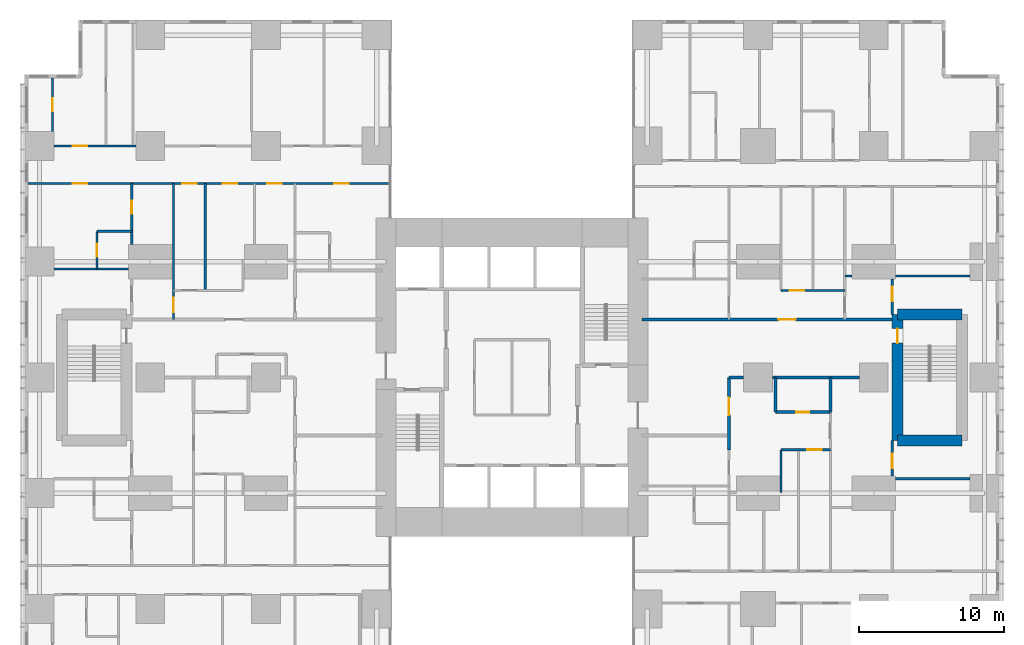
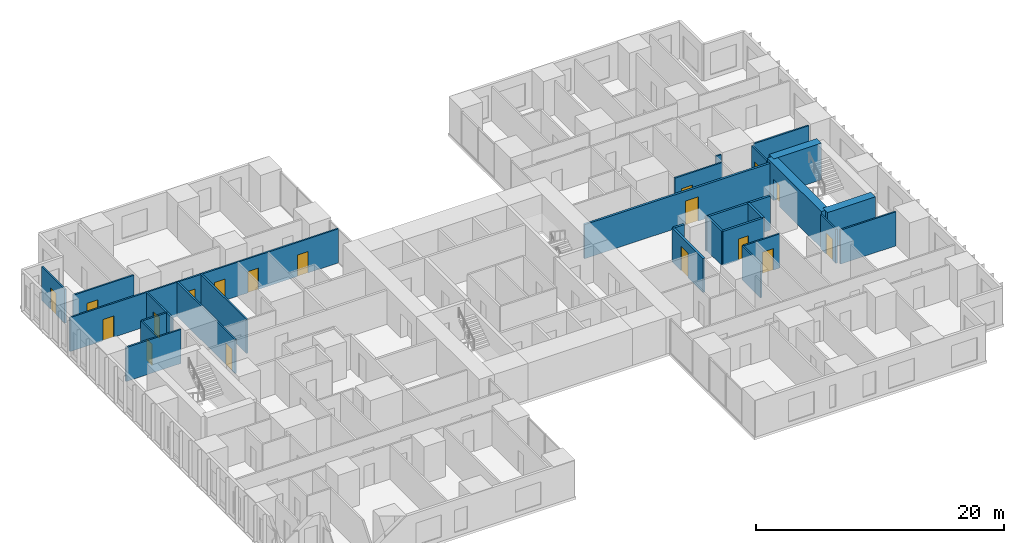
# One storey, part 16 of 20: 27 walls, 18 doors, 18 openings.
"""IFC4 building model written with IfcOpenShell, lengths in metres."""

import ifcopenshell
import ifcopenshell.guid

model = None  # the IFC model being written
_history = None  # IfcOwnerHistory: only IFC2X3 demands one
_inside = {}  # id of a spatial element -> (the spatial element, [elements in it])
_under = {}  # id of a project, library or spatial element -> (it, [spatial elements below it])
_declared = {}  # id of a project -> (the project, [libraries it declares])
_typed = {}  # id of a type object -> (the type object, [elements of that type])
_made_of = {}  # id of a material, layer set ... -> (it, [elements and type objects made of it])


def new_model(schema):
    """Start an empty IFC model of exactly this schema.

    Asked for "IFC4X3", IfcOpenShell would pick the latest addendum, in which some entities
    have other attributes; the version numbers below select the first issue.
    IFC2X3 requires an IfcOwnerHistory on every rooted entity: one is made here for all.
    """
    global model, _history
    if schema == "IFC4X3":
        model = ifcopenshell.file(schema_version=(4, 3, 0, 0))
    else:
        model = ifcopenshell.file(schema=schema)
    _inside.clear()
    _under.clear()
    _declared.clear()
    _typed.clear()
    _made_of.clear()
    _history = None
    if model.schema == "IFC2X3":
        org = make("IfcOrganization", Name="unknown")
        user = make(
            "IfcPersonAndOrganization",
            ThePerson=make("IfcPerson", FamilyName="unknown"),
            TheOrganization=org,
        )
        app = make(
            "IfcApplication",
            ApplicationDeveloper=org,
            Version="unknown",
            ApplicationFullName="unknown",
            ApplicationIdentifier="unknown",
        )
        _history = make(
            "IfcOwnerHistory",
            OwningUser=user,
            OwningApplication=app,
            ChangeAction="ADDED",
            CreationDate=0,
        )
    return model


def make(cls, **values):
    """One entity of the class cls with the attributes given. An attribute that is None is left unset."""
    return model.create_entity(
        cls, **{name: value for name, value in values.items() if value is not None}
    )


def rooted(cls, **values):
    """An entity with a GlobalId (a new one), such as an element, a storey or a relation."""
    return make(cls, GlobalId=ifcopenshell.guid.new(), OwnerHistory=_history, **values)


def si_unit(unit_type, name, prefix=None):
    """IfcSIUnit, for example si_unit("LENGTHUNIT", "METRE", prefix="MILLI")."""
    return make("IfcSIUnit", UnitType=unit_type, Prefix=prefix, Name=name)


def assignment(units):
    """IfcUnitAssignment: the units of a project."""
    return None if units is None else make("IfcUnitAssignment", Units=units)


def point(xyz):
    """IfcCartesianPoint."""
    return None if xyz is None else make("IfcCartesianPoint", Coordinates=xyz)


def direction(xyz):
    """IfcDirection."""
    return None if xyz is None else make("IfcDirection", DirectionRatios=xyz)


def frame(location, z_axis=None, x_axis=None):
    """IfcAxis2Placement3D, a coordinate frame: its origin and axes. An axis left out is left unset."""
    return make(
        "IfcAxis2Placement3D",
        Location=point(location),
        Axis=direction(z_axis),
        RefDirection=direction(x_axis),
    )


def frame_2d(location, x_axis=None):
    """IfcAxis2Placement2D, a coordinate frame in the plane: its origin and x axis."""
    return make(
        "IfcAxis2Placement2D", Location=point(location), RefDirection=direction(x_axis)
    )


def origin():
    """The frame at (0, 0, 0) with its axes left unset."""
    return frame((0.0, 0.0, 0.0))


def place(relative_to, where):
    """IfcLocalPlacement: puts the frame where relative to a parent placement (None: the world)."""
    return make(
        "IfcLocalPlacement", PlacementRelTo=relative_to, RelativePlacement=where
    )


def context(
    kind, dimensions, precision=None, world=None, true_north=None, identifier=None
):
    """IfcGeometricRepresentationContext, for example the 3D "Model" context."""
    return make(
        "IfcGeometricRepresentationContext",
        ContextIdentifier=identifier,
        ContextType=kind,
        CoordinateSpaceDimension=dimensions,
        Precision=precision,
        WorldCoordinateSystem=world,
        TrueNorth=true_north,
    )


def subcontext(parent, identifier, kind, view, scale=None):
    """IfcGeometricRepresentationSubContext, for example "Body" below "Model"."""
    return make(
        "IfcGeometricRepresentationSubContext",
        ContextIdentifier=identifier,
        ContextType=kind,
        ParentContext=parent,
        TargetScale=scale,
        TargetView=view,
    )


def project(units=None, contexts=None):
    """IfcProject with its units and contexts."""
    return rooted(
        "IfcProject",
        Name="project",
        RepresentationContexts=contexts,
        UnitsInContext=assignment(units),
    )


def spatial(cls, under=None, at=None, **own):
    """A site, building, storey or space (cls), placed at a placement, below another one or the project."""
    s = rooted(cls, ObjectPlacement=at, **own)
    if under is not None:
        _under.setdefault(under.id(), (under, []))[1].append(s)
    return s


def profile(cls, at=None, kind="AREA", **sizes):
    """A parametric profile (cls). Its sizes go by their IFC names, for example OverallWidth=200.0."""
    return make(cls, ProfileType=kind, Position=at, **sizes)


def rectangle(**sizes):
    """IfcRectangleProfileDef."""
    return profile("IfcRectangleProfileDef", **sizes)


def extrude(swept, where, along, depth):
    """IfcExtrudedAreaSolid: the profile swept, set in the frame where, extruded along a direction by depth."""
    return make(
        "IfcExtrudedAreaSolid",
        SweptArea=swept,
        Position=where,
        ExtrudedDirection=direction(along),
        Depth=depth,
    )


def shape(context_of_items, identifier, shape_type, items):
    """IfcShapeRepresentation: the items that make up one representation, for example the "Body"."""
    return make(
        "IfcShapeRepresentation",
        ContextOfItems=context_of_items,
        RepresentationIdentifier=identifier,
        RepresentationType=shape_type,
        Items=items,
    )


def material(Name=None, Category=None):
    """IfcMaterial."""
    return make("IfcMaterial", Name=Name, Category=Category)


def layer(
    of_material, thickness, ventilated=None, Name=None, Category=None, Priority=None
):
    """IfcMaterialLayer: one layer of a wall or slab, of a material (None: an air gap)."""
    return make(
        "IfcMaterialLayer",
        Material=of_material,
        LayerThickness=thickness,
        IsVentilated=ventilated,
        Name=Name,
        Category=Category,
        Priority=Priority,
    )


def layer_set(layers, Name=None):
    """IfcMaterialLayerSet."""
    return make("IfcMaterialLayerSet", MaterialLayers=layers, LayerSetName=Name)


def made_of(thing, what):
    """Note that an element or type object is made of a material, layer set ...; save() writes the relation."""
    if what is not None:
        _made_of.setdefault(what.id(), (what, []))[1].append(thing)
    return thing


def type_object(cls, material=None, **own):
    """A type object (cls), such as IfcWallType, which elements share."""
    return made_of(rooted(cls, **own), material)


def element(
    cls,
    number,
    at=None,
    inside=None,
    cuts=None,
    type_object=None,
    material=None,
    context=None,
    identifier="Body",
    shape_type=None,
    held_by="IfcProductDefinitionShape",
    body=None,
    shapes=None,
    **own,
):
    """One element of the class cls, such as IfcWall. Its Tag is "e" and its number.

    at: its placement. inside: the storey or other place that contains it. cuts: it is an
    opening in that element (IfcRelVoidsElement). A single representation is given by context,
    identifier, shape_type and body (its items); several are given by shapes. held_by: the class
    of the entity that holds the representations. save() writes the other relations.
    """
    e = rooted(cls, Tag="e%d" % number, ObjectPlacement=at, **own)
    if body is not None:
        shapes = [shape(context, identifier, shape_type, body)]
    if shapes is not None:
        e.Representation = make(held_by, Representations=shapes)
    if inside is not None:
        _inside.setdefault(inside.id(), (inside, []))[1].append(e)
    if cuts is not None:
        rooted(
            "IfcRelVoidsElement", RelatingBuildingElement=cuts, RelatedOpeningElement=e
        )
    if type_object is not None:
        _typed.setdefault(type_object.id(), (type_object, []))[1].append(e)
    return made_of(e, material)


def fill(opening, filler):
    """IfcRelFillsElement: the door or window that sits in an opening."""
    return rooted(
        "IfcRelFillsElement",
        RelatingOpeningElement=opening,
        RelatedBuildingElement=filler,
    )


def aggregate(whole, parts):
    """IfcRelAggregates: a whole, such as a stair, and the parts it consists of."""
    return rooted("IfcRelAggregates", RelatingObject=whole, RelatedObjects=parts)


def save(model, path):
    """Write the relations noted so far, then the file.

    IfcRelAggregates (storeys below a building ...), IfcRelContainedInSpatialStructure (elements
    in a storey), IfcRelDefinesByType, IfcRelAssociatesMaterial and IfcRelDeclares: one each for
    every whole, place, type object, material and project.
    """
    for whole, parts in _under.values():
        aggregate(whole, parts)
    for where, things in _inside.values():
        rooted(
            "IfcRelContainedInSpatialStructure",
            RelatedElements=things,
            RelatingStructure=where,
        )
    for kind, things in _typed.values():
        rooted("IfcRelDefinesByType", RelatedObjects=things, RelatingType=kind)
    for what, things in _made_of.values():
        rooted("IfcRelAssociatesMaterial", RelatedObjects=things, RelatingMaterial=what)
    for by, libraries in _declared.values():
        rooted("IfcRelDeclares", RelatingContext=by, RelatedDefinitions=libraries)
    model.write(path)


model = new_model("IFC4")

# Units and contexts
model_context = context("Model", 3, precision=1e-05, world=origin(), true_north=direction((0.0, 1.0)))
body_context = subcontext(model_context, "Body", "Model", "MODEL_VIEW")
ifc_project = project(units=[si_unit("LENGTHUNIT", "METRE"), si_unit("AREAUNIT", "SQUARE_METRE"), si_unit("VOLUMEUNIT", "CUBIC_METRE"), si_unit("PLANEANGLEUNIT", "RADIAN"), si_unit("MASSUNIT", "GRAM", prefix="KILO")], contexts=[model_context])

# Site, building, storey
site_placement = place(None, origin())
site = spatial("IfcSite", under=ifc_project, at=site_placement, CompositionType="ELEMENT")
building_placement = place(site_placement, origin())
building = spatial("IfcBuilding", under=site, at=building_placement, Name="Cleftline Residences", CompositionType="ELEMENT")
storey_placement = place(building_placement, frame((0.0, 0.0, 143.0)))
storey = spatial("IfcBuildingStorey", under=building, at=storey_placement, Name="L37", CompositionType="ELEMENT", Elevation=143.0)

# Wall, opening, door
ifc_material_1 = material(Name="Concrete blockwork, fire rated", Category="masonry")
ifc_layer_1 = layer(ifc_material_1, 0.199951171875)
ifc_layer_set_1 = layer_set([ifc_layer_1], Name="FIRE WALL 200")
wall_type_1 = type_object("IfcWallType", Name="FIRE WALL 200", PredefinedType="PARTITIONING", material=ifc_layer_set_1)
wall_1_placement = place(storey_placement, frame((51.199951171875, 21.60009765625, 0.0), z_axis=(0.0, 0.0, 1.0), x_axis=(1.0, 0.0, 0.0)))
wall_1 = element("IfcWall", 1, at=wall_1_placement, inside=storey, type_object=wall_type_1, Name="Fire separating wall", PredefinedType="PARTITIONING", context=body_context, shape_type="SweptSolid", body=[
    extrude(rectangle(XDim=3.800048828125, YDim=0.199951171875, at=frame_2d((1.89990234375, 0.0))), origin(), (0.0, 0.0, 1.0), 3.35009765625),
])
opening_1_placement = place(wall_1_placement, frame((1.449951171875, 0.0, 0.0)))
opening_1 = element("IfcOpeningElement", 2, at=opening_1_placement, cuts=wall_1, Name="Opening D1F30", PredefinedType="OPENING", context=body_context, shape_type="SweptSolid", body=[
    extrude(rectangle(XDim=0.89990234375, YDim=2.10009765625, at=frame_2d((0.449951171875, 1.050048828125))), frame((0.0, 0.10986328125, 0.0), z_axis=(0.0, -1.0, 0.0), x_axis=(1.0, 0.0, 0.0)), (0.0, 0.0, 1.0), 0.219970703125),
])
ifc_material_2 = material(Name="Timber veneer on solid core", Category="wood")
door_type_1 = type_object("IfcDoorType", Name="DOOR 900X2100 EI 30", OperationType="SINGLE_SWING_LEFT", PredefinedType="DOOR", material=ifc_material_2)
door_1_placement = place(opening_1_placement, origin())
door_1 = element("IfcDoor", 3, at=door_1_placement, inside=storey, type_object=door_type_1, Name="Door to cloakroom wc", OperationType="SINGLE_SWING_LEFT", OverallHeight=2.10009765625, OverallWidth=0.89990234375, PredefinedType="DOOR", context=body_context, shape_type="SweptSolid", body=[
    extrude(rectangle(XDim=0.89990234375, YDim=2.10009765625, at=frame_2d((0.449951171875, 1.050048828125))), frame((0.0, 0.02490234375, 0.0), z_axis=(0.0, -1.0, 0.0), x_axis=(1.0, 0.0, 0.0)), (0.0, 0.0, 1.0), 0.050048828125),
])
fill(opening_1, door_1)

# Walls
wall_2_placement = place(storey_placement, frame((48.0, 24.0, 0.0), z_axis=(0.0, 0.0, 1.0), x_axis=(1.0, 0.0, 0.0)))
element("IfcWall", 4, at=wall_2_placement, inside=storey, type_object=wall_type_1, Name="Fire separating wall", PredefinedType="PARTITIONING", context=body_context, shape_type="SweptSolid", body=[
    extrude(rectangle(XDim=1.0, YDim=0.199951171875, at=frame_2d((0.5, 0.0))), origin(), (0.0, 0.0, 1.0), 3.35009765625),
])
wall_3_placement = place(storey_placement, frame((51.0, 24.0, 0.0), z_axis=(0.0, 0.0, 1.0), x_axis=(1.0, 0.0, 0.0)))
element("IfcWall", 5, at=wall_3_placement, inside=storey, type_object=wall_type_1, Name="Fire separating wall", PredefinedType="PARTITIONING", context=body_context, shape_type="SweptSolid", body=[
    extrude(rectangle(XDim=6.0, YDim=0.199951171875, at=frame_2d((3.0, 0.0))), origin(), (0.0, 0.0, 1.0), 3.35009765625),
])

# Wall, opening, door
wall_4_placement = place(storey_placement, frame((42.0, 28.0, 0.0), z_axis=(0.0, 0.0, 1.0), x_axis=(1.0, 0.0, 0.0)))
wall_4 = element("IfcWall", 6, at=wall_4_placement, inside=storey, type_object=wall_type_1, Name="Fire separating wall", PredefinedType="PARTITIONING", context=body_context, shape_type="SweptSolid", body=[
    extrude(rectangle(XDim=17.27490234375, YDim=0.199951171875, at=frame_2d((8.637451171875, 0.0))), origin(), (0.0, 0.0, 1.0), 3.35009765625),
])
opening_2_placement = place(wall_4_placement, frame((9.39990234375, 0.0, 0.0)))
opening_2 = element("IfcOpeningElement", 7, at=opening_2_placement, cuts=wall_4, Name="Opening D4", PredefinedType="OPENING", context=body_context, shape_type="SweptSolid", body=[
    extrude(rectangle(XDim=1.199951171875, YDim=2.39990234375, at=frame_2d((0.60009765625, 1.199951171875))), frame((0.0, 0.10986328125, 0.0), z_axis=(0.0, -1.0, 0.0), x_axis=(1.0, 0.0, 0.0)), (0.0, 0.0, 1.0), 0.219970703125),
])
ifc_material_3 = material(Name="Timber veneer on solid core", Category="wood")
door_type_2 = type_object("IfcDoorType", Name="APARTMENT ENTRANCE DOOR 1200X2400", OperationType="SINGLE_SWING_RIGHT", PredefinedType="DOOR", material=ifc_material_3)
door_2_placement = place(opening_2_placement, origin())
door_2 = element("IfcDoor", 8, at=door_2_placement, inside=storey, type_object=door_type_2, Name="Door to residence entrance (gallery)", OperationType="SINGLE_SWING_LEFT", OverallHeight=2.39990234375, OverallWidth=1.199951171875, PredefinedType="DOOR", context=body_context, shape_type="SweptSolid", body=[
    extrude(rectangle(XDim=1.199951171875, YDim=2.39990234375, at=frame_2d((0.60009765625, 1.199951171875))), frame((0.0, 0.02490234375, 0.0), z_axis=(0.0, -1.0, 0.0), x_axis=(1.0, 0.0, 0.0)), (0.0, 0.0, 1.0), 0.050048828125),
])
fill(opening_2, door_2)

wall_5_placement = place(storey_placement, frame((48.0, 19.0, 0.0), z_axis=(0.0, 0.0, 1.0), x_axis=(0.0, 1.0, 0.0)))
wall_5 = element("IfcWall", 9, at=wall_5_placement, inside=storey, type_object=wall_type_1, Name="Fire separating wall", PredefinedType="PARTITIONING", context=body_context, shape_type="SweptSolid", body=[
    extrude(rectangle(XDim=5.0, YDim=0.199951171875, at=frame_2d((2.5, 0.0))), origin(), (0.0, 0.0, 1.0), 3.35009765625),
])
opening_3_placement = place(wall_5_placement, frame((2.39990234375, 0.0, 0.0)))
opening_3 = element("IfcOpeningElement", 10, at=opening_3_placement, cuts=wall_5, Name="Opening D4", PredefinedType="OPENING", context=body_context, shape_type="SweptSolid", body=[
    extrude(rectangle(XDim=1.199951171875, YDim=2.39990234375, at=frame_2d((0.60009765625, 1.199951171875))), frame((0.0, 0.10986328125, 0.0), z_axis=(0.0, -1.0, 0.0), x_axis=(1.0, 0.0, 0.0)), (0.0, 0.0, 1.0), 0.219970703125),
])
door_3_placement = place(opening_3_placement, origin())
door_3 = element("IfcDoor", 11, at=door_3_placement, inside=storey, type_object=door_type_2, Name="Door to residence entrance foyer", OperationType="SINGLE_SWING_LEFT", OverallHeight=2.39990234375, OverallWidth=1.199951171875, PredefinedType="DOOR", context=body_context, shape_type="SweptSolid", body=[
    extrude(rectangle(XDim=1.199951171875, YDim=2.39990234375, at=frame_2d((0.60009765625, 1.199951171875))), frame((0.0, 0.02490234375, 0.0), z_axis=(0.0, -1.0, 0.0), x_axis=(1.0, 0.0, 0.0)), (0.0, 0.0, 1.0), 0.050048828125),
])
fill(opening_3, door_3)

# Walls
for number, where, z_axis, x_axis, name in (
    (12, (51.199951171875, 21.60009765625, 0.0), (0.0, 0.0, 1.0), (0.0, 1.0, 0.0), "Fire separating wall"),
    (13, (55.0, 21.60009765625, 0.0), (0.0, 0.0, 1.0), (0.0, 1.0, 0.0), "Fire separating wall"),
):
    element("IfcWall", number, at=place(storey_placement, frame(where, z_axis=z_axis, x_axis=x_axis)), inside=storey, type_object=wall_type_1, Name=name, PredefinedType="PARTITIONING", context=body_context, shape_type="SweptSolid", body=[
        extrude(rectangle(XDim=2.39990234375, YDim=0.199951171875, at=frame_2d((1.199951171875, 0.0))), origin(), (0.0, 0.0, 1.0), 3.35009765625),
    ])
ifc_material_4 = material(Name="Gypsum board on steel studs", Category="steel")
ifc_layer_2 = layer(ifc_material_4, 0.14990234375)
ifc_layer_set_2 = layer_set([ifc_layer_2], Name="PARTITION 150")
wall_type_2 = type_object("IfcWallType", Name="PARTITION 150", PredefinedType="PARTITIONING", material=ifc_layer_set_2)
wall_6_placement = place(storey_placement, frame((59.5, 17.0, 0.0), z_axis=(0.0, 0.0, 1.0), x_axis=(1.0, 0.0, 0.0)))
element("IfcWall", 14, at=wall_6_placement, inside=storey, type_object=wall_type_2, Name="Partition", PredefinedType="PARTITIONING", context=body_context, shape_type="SweptSolid", body=[
    extrude(rectangle(XDim=5.14990234375, YDim=0.14990234375, at=frame_2d((2.574951171875, 0.0))), origin(), (0.0, 0.0, 1.0), 3.35009765625),
])

# Wall, opening, door
wall_7_placement = place(storey_placement, frame((51.60009765625, 19.0, 0.0), z_axis=(0.0, 0.0, 1.0), x_axis=(1.0, 0.0, 0.0)))
wall_7 = element("IfcWall", 15, at=wall_7_placement, inside=storey, type_object=wall_type_2, Name="Partition", PredefinedType="PARTITIONING", context=body_context, shape_type="SweptSolid", body=[
    extrude(rectangle(XDim=3.39990234375, YDim=0.14990234375, at=frame_2d((1.699951171875, 0.0))), origin(), (0.0, 0.0, 1.0), 3.35009765625),
])
opening_4_placement = place(wall_7_placement, frame((1.800048828125, 0.0, 0.0)))
opening_4 = element("IfcOpeningElement", 16, at=opening_4_placement, cuts=wall_7, Name="Opening D2", PredefinedType="OPENING", context=body_context, shape_type="SweptSolid", body=[
    extrude(rectangle(XDim=1.0, YDim=2.10009765625, at=frame_2d((0.5, 1.050048828125))), frame((0.0, 0.0849609375, 0.0), z_axis=(0.0, -1.0, 0.0), x_axis=(1.0, 0.0, 0.0)), (0.0, 0.0, 1.0), 0.169921875),
])
ifc_material_5 = material(Name="Timber veneer on solid core", Category="wood")
door_type_3 = type_object("IfcDoorType", Name="DOOR 1000X2100", OperationType="SINGLE_SWING_LEFT", PredefinedType="DOOR", material=ifc_material_5)
door_4_placement = place(opening_4_placement, origin())
door_4 = element("IfcDoor", 17, at=door_4_placement, inside=storey, type_object=door_type_3, Name="Door to residence passage", OperationType="SINGLE_SWING_LEFT", OverallHeight=2.10009765625, OverallWidth=1.0, PredefinedType="DOOR", context=body_context, shape_type="SweptSolid", body=[
    extrude(rectangle(XDim=1.0, YDim=2.10009765625, at=frame_2d((0.5, 1.050048828125))), frame((0.0, 0.02490234375, 0.0), z_axis=(0.0, -1.0, 0.0), x_axis=(1.0, 0.0, 0.0)), (0.0, 0.0, 1.0), 0.050048828125),
])
fill(opening_4, door_4)

wall_8_placement = place(storey_placement, frame((51.60009765625, 30.0, 0.0), z_axis=(0.0, 0.0, 1.0), x_axis=(1.0, 0.0, 0.0)))
wall_8 = element("IfcWall", 18, at=wall_8_placement, inside=storey, type_object=wall_type_2, Name="Partition", PredefinedType="PARTITIONING", context=body_context, shape_type="SweptSolid", body=[
    extrude(rectangle(XDim=4.39990234375, YDim=0.14990234375, at=frame_2d((2.199951171875, 0.0))), origin(), (0.0, 0.0, 1.0), 3.35009765625),
])
opening_5_placement = place(wall_8_placement, frame((0.60009765625, 0.0, 0.0)))
opening_5 = element("IfcOpeningElement", 19, at=opening_5_placement, cuts=wall_8, Name="Opening D2", PredefinedType="OPENING", context=body_context, shape_type="SweptSolid", body=[
    extrude(rectangle(XDim=1.0, YDim=2.10009765625, at=frame_2d((0.5, 1.050048828125))), frame((0.0, 0.0849609375, 0.0), z_axis=(0.0, -1.0, 0.0), x_axis=(1.0, 0.0, 0.0)), (0.0, 0.0, 1.0), 0.169921875),
])
door_5_placement = place(opening_5_placement, origin())
door_5 = element("IfcDoor", 20, at=door_5_placement, inside=storey, type_object=door_type_3, Name="Door to residence passage", OperationType="SINGLE_SWING_RIGHT", OverallHeight=2.10009765625, OverallWidth=1.0, PredefinedType="DOOR", context=body_context, shape_type="SweptSolid", body=[
    extrude(rectangle(XDim=1.0, YDim=2.10009765625, at=frame_2d((0.5, 1.050048828125))), frame((0.0, 0.02490234375, 0.0), z_axis=(0.0, -1.0, 0.0), x_axis=(1.0, 0.0, 0.0)), (0.0, 0.0, 1.0), 0.050048828125),
])
fill(opening_5, door_5)

# Walls
wall_9_placement = place(storey_placement, frame((56.0, 31.0, 0.0), z_axis=(0.0, 0.0, 1.0), x_axis=(1.0, 0.0, 0.0)))
element("IfcWall", 21, at=wall_9_placement, inside=storey, type_object=wall_type_2, Name="Partition", PredefinedType="PARTITIONING", context=body_context, shape_type="SweptSolid", body=[
    extrude(rectangle(XDim=0.5, YDim=0.14990234375, at=frame_2d((0.25, 0.0))), origin(), (0.0, 0.0, 1.0), 3.35009765625),
])
for number, where, z_axis, x_axis, name in (
    (22, (59.5, 31.0, 0.0), (0.0, 0.0, 1.0), (1.0, 0.0, 0.0), "Partition"),
    (23, (1.35009765625, 31.5, 0.0), (0.0, 0.0, 1.0), (1.0, 0.0, 0.0), "Partition"),
):
    element("IfcWall", number, at=place(storey_placement, frame(where, z_axis=z_axis, x_axis=x_axis)), inside=storey, type_object=wall_type_2, Name=name, PredefinedType="PARTITIONING", context=body_context, shape_type="SweptSolid", body=[
        extrude(rectangle(XDim=5.14990234375, YDim=0.14990234375, at=frame_2d((2.574951171875, 0.0))), origin(), (0.0, 0.0, 1.0), 3.35009765625),
    ])
wall_10_placement = place(storey_placement, frame((4.324951171875, 34.10009765625, 0.0), z_axis=(0.0, 0.0, 1.0), x_axis=(1.0, 0.0, 0.0)))
element("IfcWall", 24, at=wall_10_placement, inside=storey, type_object=wall_type_2, Name="Partition", PredefinedType="PARTITIONING", context=body_context, shape_type="SweptSolid", body=[
    extrude(rectangle(XDim=2.400146484375, YDim=0.14990234375, at=frame_2d((1.2001953125, 0.0))), origin(), (0.0, 0.0, 1.0), 3.35009765625),
])

# Wall, openings, doors
wall_11_placement = place(storey_placement, frame((-0.449951171875, 37.39990234375, 0.0), z_axis=(0.0, 0.0, 1.0), x_axis=(1.0, 0.0, 0.0)))
wall_11 = element("IfcWall", 25, at=wall_11_placement, inside=storey, type_object=wall_type_2, Name="Partition", PredefinedType="PARTITIONING", context=body_context, shape_type="SweptSolid", body=[
    extrude(rectangle(XDim=25.010986328125, YDim=0.14990234375, at=frame_2d((12.50537109375, 0.0))), origin(), (0.0, 0.0, 1.0), 3.35009765625),
])
opening_6_placement = place(wall_11_placement, frame((10.64990234375, 0.0, 0.0)))
opening_6 = element("IfcOpeningElement", 26, at=opening_6_placement, cuts=wall_11, Name="Opening D2", PredefinedType="OPENING", context=body_context, shape_type="SweptSolid", body=[
    extrude(rectangle(XDim=1.0, YDim=2.10009765625, at=frame_2d((0.5, 1.050048828125))), frame((0.0, 0.0849609375, 0.0), z_axis=(0.0, -1.0, 0.0), x_axis=(1.0, 0.0, 0.0)), (0.0, 0.0, 1.0), 0.169921875),
])
opening_7_placement = place(wall_11_placement, frame((3.08740234375, 0.0, 0.0)))
opening_7 = element("IfcOpeningElement", 27, at=opening_7_placement, cuts=wall_11, Name="Opening D2", PredefinedType="OPENING", context=body_context, shape_type="SweptSolid", body=[
    extrude(rectangle(XDim=1.0, YDim=2.10009765625, at=frame_2d((0.5, 1.050048828125))), frame((0.0, 0.0849609375, 0.0), z_axis=(0.0, -1.0, 0.0), x_axis=(1.0, 0.0, 0.0)), (0.0, 0.0, 1.0), 0.169921875),
])
opening_8_placement = place(wall_11_placement, frame((13.449951171875, 0.0, 0.0)))
opening_8 = element("IfcOpeningElement", 28, at=opening_8_placement, cuts=wall_11, Name="Opening D2", PredefinedType="OPENING", context=body_context, shape_type="SweptSolid", body=[
    extrude(rectangle(XDim=1.0, YDim=2.10009765625, at=frame_2d((0.5, 1.050048828125))), frame((0.0, 0.0849609375, 0.0), z_axis=(0.0, -1.0, 0.0), x_axis=(1.0, 0.0, 0.0)), (0.0, 0.0, 1.0), 0.169921875),
])
opening_9_placement = place(wall_11_placement, frame((16.550048828125, 0.0, 0.0)))
opening_9 = element("IfcOpeningElement", 29, at=opening_9_placement, cuts=wall_11, Name="Opening D2", PredefinedType="OPENING", context=body_context, shape_type="SweptSolid", body=[
    extrude(rectangle(XDim=1.0, YDim=2.10009765625, at=frame_2d((0.5, 1.050048828125))), frame((0.0, 0.0849609375, 0.0), z_axis=(0.0, -1.0, 0.0), x_axis=(1.0, 0.0, 0.0)), (0.0, 0.0, 1.0), 0.169921875),
])
opening_10_placement = place(wall_11_placement, frame((21.175048828125, 0.0, 0.0)))
opening_10 = element("IfcOpeningElement", 30, at=opening_10_placement, cuts=wall_11, Name="Opening D2", PredefinedType="OPENING", context=body_context, shape_type="SweptSolid", body=[
    extrude(rectangle(XDim=1.0, YDim=2.10009765625, at=frame_2d((0.5, 1.050048828125))), frame((0.0, 0.0849609375, 0.0), z_axis=(0.0, -1.0, 0.0), x_axis=(1.0, 0.0, 0.0)), (0.0, 0.0, 1.0), 0.169921875),
])
door_6_placement = place(opening_6_placement, origin())
door_6 = element("IfcDoor", 31, at=door_6_placement, inside=storey, type_object=door_type_3, Name="Door to residence hall", OperationType="SINGLE_SWING_RIGHT", OverallHeight=2.10009765625, OverallWidth=1.0, PredefinedType="DOOR", context=body_context, shape_type="SweptSolid", body=[
    extrude(rectangle(XDim=1.0, YDim=2.10009765625, at=frame_2d((0.5, 1.050048828125))), frame((0.0, 0.02490234375, 0.0), z_axis=(0.0, -1.0, 0.0), x_axis=(1.0, 0.0, 0.0)), (0.0, 0.0, 1.0), 0.050048828125),
])
fill(opening_6, door_6)
door_7_placement = place(opening_7_placement, origin())
door_7 = element("IfcDoor", 32, at=door_7_placement, inside=storey, type_object=door_type_3, Name="Door to master bedroom", OperationType="SINGLE_SWING_RIGHT", OverallHeight=2.10009765625, OverallWidth=1.0, PredefinedType="DOOR", context=body_context, shape_type="SweptSolid", body=[
    extrude(rectangle(XDim=1.0, YDim=2.10009765625, at=frame_2d((0.5, 1.050048828125))), frame((0.0, 0.02490234375, 0.0), z_axis=(0.0, -1.0, 0.0), x_axis=(1.0, 0.0, 0.0)), (0.0, 0.0, 1.0), 0.050048828125),
])
fill(opening_7, door_7)
door_8_placement = place(opening_8_placement, origin())
door_8 = element("IfcDoor", 33, at=door_8_placement, inside=storey, type_object=door_type_3, Name="Door to family room", OperationType="SINGLE_SWING_LEFT", OverallHeight=2.10009765625, OverallWidth=1.0, PredefinedType="DOOR", context=body_context, shape_type="SweptSolid", body=[
    extrude(rectangle(XDim=1.0, YDim=2.10009765625, at=frame_2d((0.5, 1.050048828125))), frame((0.0, 0.02490234375, 0.0), z_axis=(0.0, -1.0, 0.0), x_axis=(1.0, 0.0, 0.0)), (0.0, 0.0, 1.0), 0.050048828125),
])
fill(opening_8, door_8)
door_9_placement = place(opening_9_placement, origin())
door_9 = element("IfcDoor", 34, at=door_9_placement, inside=storey, type_object=door_type_3, Name="Door to wet kitchen", OperationType="SINGLE_SWING_LEFT", OverallHeight=2.10009765625, OverallWidth=1.0, PredefinedType="DOOR", context=body_context, shape_type="SweptSolid", body=[
    extrude(rectangle(XDim=1.0, YDim=2.10009765625, at=frame_2d((0.5, 1.050048828125))), frame((0.0, 0.02490234375, 0.0), z_axis=(0.0, -1.0, 0.0), x_axis=(1.0, 0.0, 0.0)), (0.0, 0.0, 1.0), 0.050048828125),
])
fill(opening_9, door_9)
door_10_placement = place(opening_10_placement, origin())
door_10 = element("IfcDoor", 35, at=door_10_placement, inside=storey, type_object=door_type_3, Name="Door to bedroom 3", OperationType="SINGLE_SWING_LEFT", OverallHeight=2.10009765625, OverallWidth=1.0, PredefinedType="DOOR", context=body_context, shape_type="SweptSolid", body=[
    extrude(rectangle(XDim=1.0, YDim=2.10009765625, at=frame_2d((0.5, 1.050048828125))), frame((0.0, 0.02490234375, 0.0), z_axis=(0.0, -1.0, 0.0), x_axis=(1.0, 0.0, 0.0)), (0.0, 0.0, 1.0), 0.050048828125),
])
fill(opening_10, door_10)

# Wall, opening, door
wall_12_placement = place(storey_placement, frame((1.35009765625, 40.0, 0.0), z_axis=(0.0, 0.0, 1.0), x_axis=(1.0, 0.0, 0.0)))
wall_12 = element("IfcWall", 36, at=wall_12_placement, inside=storey, type_object=wall_type_2, Name="Partition", PredefinedType="PARTITIONING", context=body_context, shape_type="SweptSolid", body=[
    extrude(rectangle(XDim=5.64990234375, YDim=0.14990234375, at=frame_2d((2.824951171875, 0.0))), origin(), (0.0, 0.0, 1.0), 3.35009765625),
])
opening_11_placement = place(wall_12_placement, frame((1.300048828125, 0.0, 0.0)))
opening_11 = element("IfcOpeningElement", 37, at=opening_11_placement, cuts=wall_12, Name="Opening D2", PredefinedType="OPENING", context=body_context, shape_type="SweptSolid", body=[
    extrude(rectangle(XDim=1.0, YDim=2.10009765625, at=frame_2d((0.5, 1.050048828125))), frame((0.0, 0.0849609375, 0.0), z_axis=(0.0, -1.0, 0.0), x_axis=(1.0, 0.0, 0.0)), (0.0, 0.0, 1.0), 0.169921875),
])
door_11_placement = place(opening_11_placement, origin())
door_11 = element("IfcDoor", 38, at=door_11_placement, inside=storey, type_object=door_type_3, Name="Door to bedroom 2", OperationType="SINGLE_SWING_RIGHT", OverallHeight=2.10009765625, OverallWidth=1.0, PredefinedType="DOOR", context=body_context, shape_type="SweptSolid", body=[
    extrude(rectangle(XDim=1.0, YDim=2.10009765625, at=frame_2d((0.5, 1.050048828125))), frame((0.0, 0.02490234375, 0.0), z_axis=(0.0, -1.0, 0.0), x_axis=(1.0, 0.0, 0.0)), (0.0, 0.0, 1.0), 0.050048828125),
])
fill(opening_11, door_11)

wall_13_placement = place(storey_placement, frame((1.25, 41.0, 0.0), z_axis=(0.0, 0.0, 1.0), x_axis=(0.0, 1.0, 0.0)))
wall_13 = element("IfcWall", 39, at=wall_13_placement, inside=storey, type_object=wall_type_2, Name="Partition", PredefinedType="PARTITIONING", context=body_context, shape_type="SweptSolid", body=[
    extrude(rectangle(XDim=3.699951171875, YDim=0.14990234375, at=frame_2d((1.85009765625, 0.0))), origin(), (0.0, 0.0, 1.0), 3.35009765625),
])
opening_12_placement = place(wall_13_placement, frame((1.39990234375, 0.0, 0.0)))
opening_12 = element("IfcOpeningElement", 40, at=opening_12_placement, cuts=wall_13, Name="Opening D1", PredefinedType="OPENING", context=body_context, shape_type="SweptSolid", body=[
    extrude(rectangle(XDim=0.89990234375, YDim=2.10009765625, at=frame_2d((0.449951171875, 1.050048828125))), frame((0.0, 0.0849609375, 0.0), z_axis=(0.0, -1.0, 0.0), x_axis=(1.0, 0.0, 0.0)), (0.0, 0.0, 1.0), 0.169921875),
])
ifc_material_6 = material(Name="Timber veneer on solid core", Category="wood")
door_type_4 = type_object("IfcDoorType", Name="DOOR 900X2100", OperationType="SINGLE_SWING_LEFT", PredefinedType="DOOR", material=ifc_material_6)
door_12_placement = place(opening_12_placement, origin())
door_12 = element("IfcDoor", 41, at=door_12_placement, inside=storey, type_object=door_type_4, Name="Door to walk-in wardrobe", OperationType="SINGLE_SWING_LEFT", OverallHeight=2.10009765625, OverallWidth=0.89990234375, PredefinedType="DOOR", context=body_context, shape_type="SweptSolid", body=[
    extrude(rectangle(XDim=0.89990234375, YDim=2.10009765625, at=frame_2d((0.449951171875, 1.050048828125))), frame((0.0, 0.02490234375, 0.0), z_axis=(0.0, -1.0, 0.0), x_axis=(1.0, 0.0, 0.0)), (0.0, 0.0, 1.0), 0.050048828125),
])
fill(opening_12, door_12)

wall_14_placement = place(storey_placement, frame((4.324951171875, 31.5, 0.0), z_axis=(0.0, 0.0, 1.0), x_axis=(0.0, 1.0, 0.0)))
wall_14 = element("IfcWall", 42, at=wall_14_placement, inside=storey, type_object=wall_type_2, Name="Partition", PredefinedType="PARTITIONING", context=body_context, shape_type="SweptSolid", body=[
    extrude(rectangle(XDim=2.60009765625, YDim=0.14990234375, at=frame_2d((1.300048828125, 0.0))), origin(), (0.0, 0.0, 1.0), 3.35009765625),
])
opening_13_placement = place(wall_14_placement, frame((0.85009765625, 0.0, 0.0)))
opening_13 = element("IfcOpeningElement", 43, at=opening_13_placement, cuts=wall_14, Name="Opening D1", PredefinedType="OPENING", context=body_context, shape_type="SweptSolid", body=[
    extrude(rectangle(XDim=0.89990234375, YDim=2.10009765625, at=frame_2d((0.449951171875, 1.050048828125))), frame((0.0, 0.0849609375, 0.0), z_axis=(0.0, -1.0, 0.0), x_axis=(1.0, 0.0, 0.0)), (0.0, 0.0, 1.0), 0.169921875),
])
door_13_placement = place(opening_13_placement, origin())
door_13 = element("IfcDoor", 44, at=door_13_placement, inside=storey, type_object=door_type_4, Name="Door to master bathroom", OperationType="SINGLE_SWING_LEFT", OverallHeight=2.10009765625, OverallWidth=0.89990234375, PredefinedType="DOOR", context=body_context, shape_type="SweptSolid", body=[
    extrude(rectangle(XDim=0.89990234375, YDim=2.10009765625, at=frame_2d((0.449951171875, 1.050048828125))), frame((0.0, 0.02490234375, 0.0), z_axis=(0.0, -1.0, 0.0), x_axis=(1.0, 0.0, 0.0)), (0.0, 0.0, 1.0), 0.050048828125),
])
fill(opening_13, door_13)

wall_15_placement = place(storey_placement, frame((6.72509765625, 33.199951171875, 0.0), z_axis=(0.0, 0.0, 1.0), x_axis=(0.0, 1.0, 0.0)))
wall_15 = element("IfcWall", 45, at=wall_15_placement, inside=storey, type_object=wall_type_2, Name="Partition", PredefinedType="PARTITIONING", context=body_context, shape_type="SweptSolid", body=[
    extrude(rectangle(XDim=4.199951171875, YDim=0.14990234375, at=frame_2d((2.10009765625, 0.0))), origin(), (0.0, 0.0, 1.0), 3.35009765625),
])
opening_14_placement = place(wall_15_placement, frame((2.10009765625, 0.0, 0.0)))
opening_14 = element("IfcOpeningElement", 46, at=opening_14_placement, cuts=wall_15, Name="Opening D1", PredefinedType="OPENING", context=body_context, shape_type="SweptSolid", body=[
    extrude(rectangle(XDim=0.89990234375, YDim=2.10009765625, at=frame_2d((0.449951171875, 1.050048828125))), frame((0.0, 0.0849609375, 0.0), z_axis=(0.0, -1.0, 0.0), x_axis=(1.0, 0.0, 0.0)), (0.0, 0.0, 1.0), 0.169921875),
])
door_14_placement = place(opening_14_placement, origin())
door_14 = element("IfcDoor", 47, at=door_14_placement, inside=storey, type_object=door_type_4, Name="Door to master dressing room", OperationType="SINGLE_SWING_LEFT", OverallHeight=2.10009765625, OverallWidth=0.89990234375, PredefinedType="DOOR", context=body_context, shape_type="SweptSolid", body=[
    extrude(rectangle(XDim=0.89990234375, YDim=2.10009765625, at=frame_2d((0.449951171875, 1.050048828125))), frame((0.0, 0.02490234375, 0.0), z_axis=(0.0, -1.0, 0.0), x_axis=(1.0, 0.0, 0.0)), (0.0, 0.0, 1.0), 0.050048828125),
])
fill(opening_14, door_14)

wall_16_placement = place(storey_placement, frame((9.60009765625, 28.0, 0.0), z_axis=(0.0, 0.0, 1.0), x_axis=(0.0, 1.0, 0.0)))
wall_16 = element("IfcWall", 48, at=wall_16_placement, inside=storey, type_object=wall_type_2, Name="Partition", PredefinedType="PARTITIONING", context=body_context, shape_type="SweptSolid", body=[
    extrude(rectangle(XDim=9.39990234375, YDim=0.14990234375, at=frame_2d((4.699951171875, 0.0))), origin(), (0.0, 0.0, 1.0), 3.35009765625),
])
opening_15_placement = place(wall_16_placement, frame((0.5, 0.0, 0.0)))
opening_15 = element("IfcOpeningElement", 49, at=opening_15_placement, cuts=wall_16, Name="Opening D2F30", PredefinedType="OPENING", context=body_context, shape_type="SweptSolid", body=[
    extrude(rectangle(XDim=1.0, YDim=2.10009765625, at=frame_2d((0.5, 1.050048828125))), frame((0.0, 0.0849609375, 0.0), z_axis=(0.0, -1.0, 0.0), x_axis=(1.0, 0.0, 0.0)), (0.0, 0.0, 1.0), 0.169921875),
])
ifc_material_7 = material(Name="Timber veneer on solid core", Category="wood")
door_type_5 = type_object("IfcDoorType", Name="DOOR 1000X2100 EI 30", OperationType="SINGLE_SWING_LEFT", PredefinedType="DOOR", material=ifc_material_7)
door_15_placement = place(opening_15_placement, origin())
door_15 = element("IfcDoor", 50, at=door_15_placement, inside=storey, type_object=door_type_5, Name="Door to residence lobby", OperationType="SINGLE_SWING_RIGHT", OverallHeight=2.10009765625, OverallWidth=1.0, PredefinedType="DOOR", context=body_context, shape_type="SweptSolid", body=[
    extrude(rectangle(XDim=1.0, YDim=2.10009765625, at=frame_2d((0.5, 1.050048828125))), frame((0.0, 0.02490234375, 0.0), z_axis=(0.0, -1.0, 0.0), x_axis=(1.0, 0.0, 0.0)), (0.0, 0.0, 1.0), 0.050048828125),
])
fill(opening_15, door_15)

# Walls
wall_17_placement = place(storey_placement, frame((11.800048828125, 30.0, 0.0), z_axis=(0.0, 0.0, 1.0), x_axis=(0.0, 1.0, 0.0)))
element("IfcWall", 51, at=wall_17_placement, inside=storey, type_object=wall_type_2, Name="Partition", PredefinedType="PARTITIONING", context=body_context, shape_type="SweptSolid", body=[
    extrude(rectangle(XDim=7.39990234375, YDim=0.14990234375, at=frame_2d((3.699951171875, 0.0))), origin(), (0.0, 0.0, 1.0), 3.35009765625),
])
wall_18_placement = place(storey_placement, frame((51.60009765625, 16.050048828125, 0.0), z_axis=(0.0, 0.0, 1.0), x_axis=(0.0, 1.0, 0.0)))
element("IfcWall", 52, at=wall_18_placement, inside=storey, type_object=wall_type_2, Name="Partition", PredefinedType="PARTITIONING", context=body_context, shape_type="SweptSolid", body=[
    extrude(rectangle(XDim=2.949951171875, YDim=0.14990234375, at=frame_2d((1.47509765625, 0.0))), origin(), (0.0, 0.0, 1.0), 3.35009765625),
])

# Wall, opening, door
wall_19_placement = place(storey_placement, frame((59.27490234375, 17.199951171875, 0.0), z_axis=(0.0, 0.0, 1.0), x_axis=(0.0, 1.0, 0.0)))
wall_19 = element("IfcWall", 53, at=wall_19_placement, inside=storey, type_object=wall_type_2, Name="Partition", PredefinedType="PARTITIONING", context=body_context, shape_type="SweptSolid", body=[
    extrude(rectangle(XDim=2.449951171875, YDim=0.14990234375, at=frame_2d((1.22509765625, 0.0))), origin(), (0.0, 0.0, 1.0), 3.35009765625),
])
opening_16_placement = place(wall_19_placement, frame((0.53759765625, 0.0, 0.0)))
opening_16 = element("IfcOpeningElement", 54, at=opening_16_placement, cuts=wall_19, Name="Opening D2", PredefinedType="OPENING", context=body_context, shape_type="SweptSolid", body=[
    extrude(rectangle(XDim=1.0, YDim=2.10009765625, at=frame_2d((0.5, 1.050048828125))), frame((0.0, 0.0849609375, 0.0), z_axis=(0.0, -1.0, 0.0), x_axis=(1.0, 0.0, 0.0)), (0.0, 0.0, 1.0), 0.169921875),
])
door_16_placement = place(opening_16_placement, origin())
door_16 = element("IfcDoor", 55, at=door_16_placement, inside=storey, type_object=door_type_3, Name="Door to altar room", OperationType="SINGLE_SWING_RIGHT", OverallHeight=2.10009765625, OverallWidth=1.0, PredefinedType="DOOR", context=body_context, shape_type="SweptSolid", body=[
    extrude(rectangle(XDim=1.0, YDim=2.10009765625, at=frame_2d((0.5, 1.050048828125))), frame((0.0, 0.02490234375, 0.0), z_axis=(0.0, -1.0, 0.0), x_axis=(1.0, 0.0, 0.0)), (0.0, 0.0, 1.0), 0.050048828125),
])
fill(opening_16, door_16)

wall_20_placement = place(storey_placement, frame((59.27490234375, 28.35009765625, 0.0), z_axis=(0.0, 0.0, 1.0), x_axis=(0.0, 1.0, 0.0)))
wall_20 = element("IfcWall", 56, at=wall_20_placement, inside=storey, type_object=wall_type_2, Name="Partition", PredefinedType="PARTITIONING", context=body_context, shape_type="SweptSolid", body=[
    extrude(rectangle(XDim=2.449951171875, YDim=0.14990234375, at=frame_2d((1.22509765625, 0.0))), origin(), (0.0, 0.0, 1.0), 3.35009765625),
])
opening_17_placement = place(wall_20_placement, frame((0.91259765625, 0.0, 0.0)))
opening_17 = element("IfcOpeningElement", 57, at=opening_17_placement, cuts=wall_20, Name="Opening D2", PredefinedType="OPENING", context=body_context, shape_type="SweptSolid", body=[
    extrude(rectangle(XDim=1.0, YDim=2.10009765625, at=frame_2d((0.5, 1.050048828125))), frame((0.0, 0.0849609375, 0.0), z_axis=(0.0, -1.0, 0.0), x_axis=(1.0, 0.0, 0.0)), (0.0, 0.0, 1.0), 0.169921875),
])
door_17_placement = place(opening_17_placement, origin())
door_17 = element("IfcDoor", 58, at=door_17_placement, inside=storey, type_object=door_type_3, Name="Door to altar room", OperationType="SINGLE_SWING_LEFT", OverallHeight=2.10009765625, OverallWidth=1.0, PredefinedType="DOOR", context=body_context, shape_type="SweptSolid", body=[
    extrude(rectangle(XDim=1.0, YDim=2.10009765625, at=frame_2d((0.5, 1.050048828125))), frame((0.0, 0.02490234375, 0.0), z_axis=(0.0, -1.0, 0.0), x_axis=(1.0, 0.0, 0.0)), (0.0, 0.0, 1.0), 0.050048828125),
])
fill(opening_17, door_17)

# Walls
ifc_material_8 = material(Name="Concrete B70", Category="concrete")
ifc_layer_3 = layer(ifc_material_8, 0.75)
ifc_layer_set_3 = layer_set([ifc_layer_3], Name="SHEAR WALL 750")
wall_type_3 = type_object("IfcWallType", Name="SHEAR WALL 750", PredefinedType="SHEAR", material=ifc_layer_set_3)
for number, where, z_axis, x_axis, name in (
    (59, (59.64990234375, 19.64990234375, 0.0), (0.0, 0.0, 1.0), (1.0, 0.0, 0.0), "Wing shear wall"),
    (60, (64.10009765625, 28.35009765625, 0.0), (0.0, 0.0, 1.0), (-1.0, 0.0, 0.0), "Wing shear wall"),
):
    element("IfcWall", number, at=place(storey_placement, frame(where, z_axis=z_axis, x_axis=x_axis)), inside=storey, type_object=wall_type_3, Name=name, PredefinedType="SHEAR", context=body_context, shape_type="SweptSolid", body=[
        extrude(rectangle(XDim=4.4501953125, YDim=0.75, at=frame_2d((2.22509765625, 0.0))), origin(), (0.0, 0.0, 1.0), 3.60009765625),
    ])

# Wall, opening, door
wall_21_placement = place(storey_placement, frame((59.64990234375, 28.35009765625, 0.0), z_axis=(0.0, 0.0, 1.0), x_axis=(0.0, -1.0, 0.0)))
wall_21 = element("IfcWall", 61, at=wall_21_placement, inside=storey, type_object=wall_type_3, Name="Wing shear wall", PredefinedType="SHEAR", context=body_context, shape_type="SweptSolid", body=[
    extrude(rectangle(XDim=8.7001953125, YDim=0.75, at=frame_2d((4.35009765625, 0.0))), origin(), (0.0, 0.0, 1.0), 3.60009765625),
])
opening_18_placement = place(wall_21_placement, frame((0.97509765625, 0.0, 0.0)))
opening_18 = element("IfcOpeningElement", 62, at=opening_18_placement, cuts=wall_21, Name="Opening D5", PredefinedType="OPENING", context=body_context, shape_type="SweptSolid", body=[
    extrude(rectangle(XDim=1.0, YDim=2.10009765625, at=frame_2d((0.5, 1.050048828125))), frame((0.0, 0.385009765625, 0.0), z_axis=(0.0, -1.0, 0.0), x_axis=(1.0, 0.0, 0.0)), (0.0, 0.0, 1.0), 0.77001953125),
])
ifc_material_9 = material(Name="Steel", Category="steel")
door_type_6 = type_object("IfcDoorType", Name="STAIR DOOR 1000X2100", OperationType="SINGLE_SWING_LEFT", PredefinedType="DOOR", material=ifc_material_9)
door_18_placement = place(opening_18_placement, origin())
door_18 = element("IfcDoor", 63, at=door_18_placement, inside=storey, type_object=door_type_6, Name="Stair E door", OperationType="SINGLE_SWING_RIGHT", OverallHeight=2.10009765625, OverallWidth=1.0, PredefinedType="DOOR", context=body_context, shape_type="SweptSolid", body=[
    extrude(rectangle(XDim=1.0, YDim=2.10009765625, at=frame_2d((0.5, 1.050048828125))), frame((0.0, 0.02490234375, 0.0), z_axis=(0.0, -1.0, 0.0), x_axis=(1.0, 0.0, 0.0)), (0.0, 0.0, 1.0), 0.050048828125),
])
fill(opening_18, door_18)

save(model, "model.ifc")
